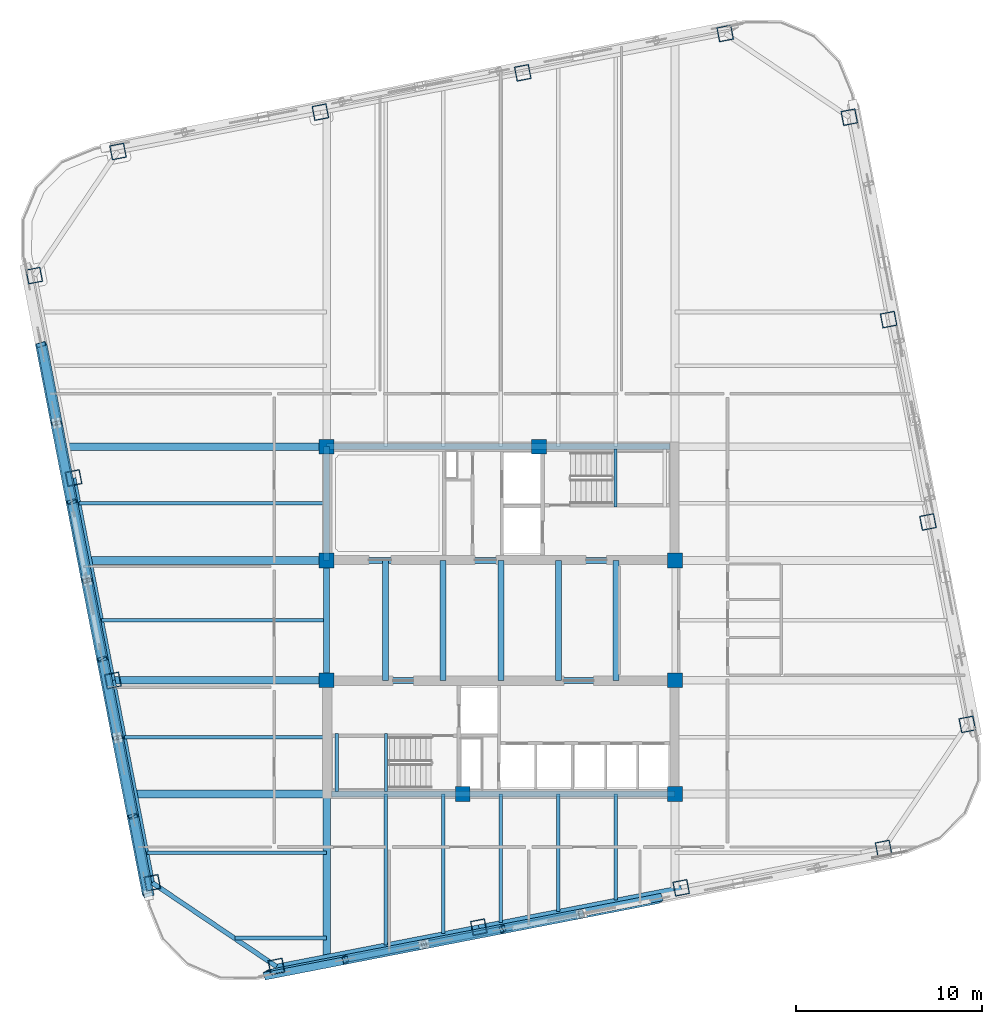
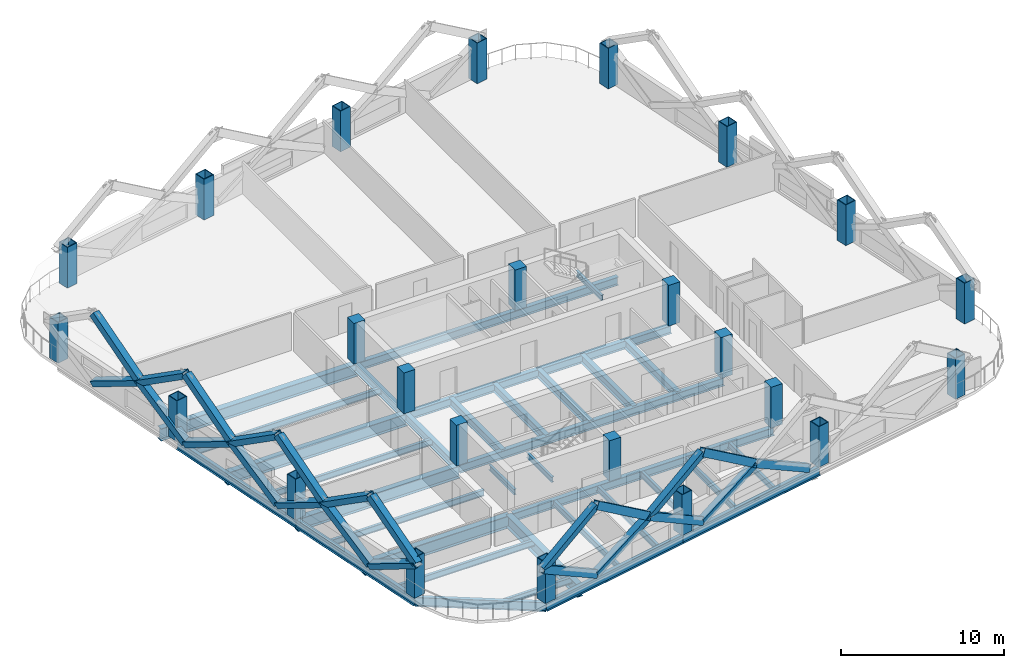
# One storey, part 1 of 10: 34 beams, 24 columns, 23 members.
"""IFC4 building model written with IfcOpenShell, lengths in metres."""

from ifc_helpers import new_model, si_unit, direction, frame, origin, origin_2d, place, context, subcontext, project, spatial, rectangle, hollow_rectangle, i_section, extrude, material, material_profile, profile_set, type_object, element, save


model = new_model("IFC4")

# Units and contexts
model_context = context("Model", 3, precision=1e-05, world=origin(), true_north=direction((0.0, 1.0)))
body_context = subcontext(model_context, "Body", "Model", "MODEL_VIEW")
ifc_project = project(units=[si_unit("LENGTHUNIT", "METRE"), si_unit("AREAUNIT", "SQUARE_METRE"), si_unit("VOLUMEUNIT", "CUBIC_METRE"), si_unit("PLANEANGLEUNIT", "RADIAN"), si_unit("MASSUNIT", "GRAM", prefix="KILO")], contexts=[model_context])

# Site, building, storey
site_placement = place(None, origin())
site = spatial("IfcSite", under=ifc_project, at=site_placement, CompositionType="ELEMENT")
building_placement = place(site_placement, origin())
building = spatial("IfcBuilding", under=site, at=building_placement, Name="Qhalaya Broadcast Tower", CompositionType="ELEMENT")
storey_placement = place(building_placement, frame((0.0, 0.0, 131.10009765625)))
storey = spatial("IfcBuildingStorey", under=building, at=storey_placement, Name="L38", CompositionType="ELEMENT", Elevation=131.10009765625)

# Columns
ifc_material_1 = material(Name="Concrete C50/60", Category="concrete")
ifc_material_profile_1 = material_profile(ifc_material_1, rectangle(XDim=0.800048828125, YDim=0.800048828125, at=origin_2d()), Name="RC-COL 800x800")
ifc_profile_set_1 = profile_set([ifc_material_profile_1], Name="Concrete C50/60")
column_type_1 = type_object("IfcColumnType", Name="RC Upper Column C10", PredefinedType="COLUMN", material=ifc_profile_set_1)
for number, where, z_axis, x_axis, name in (
    (1, (-9.375, 9.949951171875, 0.0), (0.0, 0.0, 1.0), (1.0, 0.0, 0.0), "L38 Column COL-CC1"),
    (2, (2.050048828125, 9.949951171875, 0.0), (0.0, 0.0, 1.0), (1.0, 0.0, 0.0), "L38 Column COL-CC2"),
    (3, (-9.375, 3.824951171875, 0.0), (0.0, 0.0, 1.0), (1.0, 0.0, 0.0), "L38 Column COL-CC3"),
    (4, (9.375, 3.824951171875, 0.0), (0.0, 0.0, 1.0), (1.0, 0.0, 0.0), "L38 Column COL-CC4"),
    (5, (-9.375, -2.625, 0.0), (0.0, 0.0, 1.0), (1.0, 0.0, 0.0), "L38 Column COL-CC5"),
    (6, (9.375, -2.625, 0.0), (0.0, 0.0, 1.0), (1.0, 0.0, 0.0), "L38 Column COL-CC6"),
    (7, (-2.050048828125, -8.75, 0.0), (0.0, 0.0, 1.0), (1.0, 0.0, 0.0), "L38 Column COL-CC7"),
    (8, (9.375, -8.75, 0.0), (0.0, 0.0, 1.0), (1.0, 0.0, 0.0), "L38 Column COL-CC8"),
):
    element("IfcColumn", number, at=place(storey_placement, frame(where, z_axis=z_axis, x_axis=x_axis)), inside=storey, type_object=column_type_1, Name=name, PredefinedType="COLUMN", context=body_context, shape_type="SweptSolid", body=[
        extrude(rectangle(XDim=0.800048828125, YDim=0.800048828125, at=origin_2d()), origin(), (0.0, 0.0, 1.0), 3.0498046875),
    ])
ifc_material_2 = material(Name="Structural Steel ASTM A572 Grade 50", Category="steel")
ifc_material_profile_2 = material_profile(ifc_material_2, hollow_rectangle(XDim=0.800048828125, YDim=0.800048828125, WallThickness=0.050048828125, at=origin_2d()), Name="BOX 800x800x50")
ifc_profile_set_2 = profile_set([ifc_material_profile_2], Name="Structural Steel ASTM A572 Grade 50")
column_type_2 = type_object("IfcColumnType", Name="Steel Box Column C03", PredefinedType="COLUMN", material=ifc_profile_set_2)
for number, where, z_axis, x_axis, name in (
    (9, (-12.07958984375, -18.036376953125, 0.0), (0.0, 0.0, 1.0), (0.981627183448, 0.190808995377, 0.0), "L38 Column COL-EX01"),
    (10, (-1.183349609375, -15.91845703125, 0.0), (0.0, 0.0, 1.0), (0.981627183448, 0.190808995377, 0.0), "L38 Column COL-EX02"),
    (11, (9.712646484375, -13.80029296875, 0.0), (0.0, 0.0, 1.0), (0.981627183448, 0.190808995377, 0.0), "L38 Column COL-EX03"),
    (12, (20.608642578125, -11.682373046875, 0.0), (0.0, 0.0, 1.0), (0.981627183448, 0.190808995377, 0.0), "L38 Column COL-EX04"),
    (13, (25.1162109375, -4.99951171875, 0.0), (0.0, 0.0, 1.0), (-0.190808995377, 0.981627183448, 0.0), "L38 Column COL-EX05"),
    (14, (22.998291015625, 5.896484375, 0.0), (0.0, 0.0, 1.0), (-0.190808995377, 0.981627183448, 0.0), "L38 Column COL-EX06"),
    (15, (20.88037109375, 16.79248046875, 0.0), (0.0, 0.0, 1.0), (-0.190808995377, 0.981627183448, 0.0), "L38 Column COL-EX07"),
    (16, (18.762451171875, 27.688720703125, 0.0), (0.0, 0.0, 1.0), (-0.190808995377, 0.981627183448, 0.0), "L38 Column COL-EX08"),
    (17, (12.07958984375, 32.1962890625, 0.0), (0.0, 0.0, 1.0), (0.981627183448, 0.190808995377, 0.0), "L38 Column COL-EX09"),
    (18, (1.183349609375, 30.078369140625, 0.0), (0.0, 0.0, 1.0), (0.981627183448, 0.190808995377, 0.0), "L38 Column COL-EX10"),
    (19, (-9.712646484375, 27.96044921875, 0.0), (0.0, 0.0, 1.0), (0.981627183448, 0.190808995377, 0.0), "L38 Column COL-EX11"),
    (20, (-20.608642578125, 25.84228515625, 0.0), (0.0, 0.0, 1.0), (0.981627183448, 0.190808995377, 0.0), "L38 Column COL-EX12"),
    (21, (-25.1162109375, 19.159423828125, 0.0), (0.0, 0.0, 1.0), (-0.190808995377, 0.981627183448, 0.0), "L38 Column COL-EX13"),
    (22, (-22.998291015625, 8.263427734375, 0.0), (0.0, 0.0, 1.0), (-0.190808995377, 0.981627183448, 0.0), "L38 Column COL-EX14"),
    (23, (-20.88037109375, -2.632568359375, 0.0), (0.0, 0.0, 1.0), (-0.190808995377, 0.981627183448, 0.0), "L38 Column COL-EX15"),
    (24, (-18.762451171875, -13.52880859375, 0.0), (0.0, 0.0, 1.0), (-0.190808995377, 0.981627183448, 0.0), "L38 Column COL-EX16"),
):
    element("IfcColumn", number, at=place(storey_placement, frame(where, z_axis=z_axis, x_axis=x_axis)), inside=storey, type_object=column_type_2, Name=name, PredefinedType="COLUMN", context=body_context, shape_type="SweptSolid", body=[
        extrude(hollow_rectangle(XDim=0.800048828125, YDim=0.800048828125, WallThickness=0.050048828125, at=origin_2d()), origin(), (0.0, 0.0, 1.0), 3.0498046875),
    ])

# Beams
ifc_material_3 = material(Name="Structural Steel ASTM A992 Grade 50", Category="steel")
ifc_material_profile_3 = material_profile(ifc_material_3, i_section(OverallWidth=0.19189453125, OverallDepth=0.462890625, WebThickness=0.010498046875, FlangeThickness=0.017578125, at=origin_2d()), Name="W18X60")
ifc_profile_set_3 = profile_set([ifc_material_profile_3], Name="Structural Steel ASTM A992 Grade 50")
beam_type_1 = type_object("IfcBeamType", Name="Composite Floor Joist J03", PredefinedType="JOIST", material=ifc_profile_set_3)
beam_1_placement = place(storey_placement, frame((-6.199951171875, -16.873046875, -0.45166015625), z_axis=(0.0, 1.0, 0.0), x_axis=(-1.0, 0.0, 0.0)))
element("IfcBeam", 25, at=beam_1_placement, inside=storey, type_object=beam_type_1, Name="L38 J03 L38-JNS1-1", PredefinedType="JOIST", context=body_context, shape_type="SweptSolid", body=[
    extrude(i_section(OverallWidth=0.19189453125, OverallDepth=0.462890625, WebThickness=0.010498046875, FlangeThickness=0.017578125, at=origin_2d()), origin(), (0.0, 0.0, 1.0), 8.123046875),
])
beam_2_placement = place(storey_placement, frame((-3.10009765625, -16.2705078125, -0.45166015625), z_axis=(0.0, 1.0, 0.0), x_axis=(-1.0, 0.0, 0.0)))
element("IfcBeam", 26, at=beam_2_placement, inside=storey, type_object=beam_type_1, Name="L38 J03 L38-JNS2-1", PredefinedType="JOIST", context=body_context, shape_type="SweptSolid", body=[
    extrude(i_section(OverallWidth=0.19189453125, OverallDepth=0.462890625, WebThickness=0.010498046875, FlangeThickness=0.017578125, at=origin_2d()), origin(), (0.0, 0.0, 1.0), 7.5205078125),
])
beam_3_placement = place(storey_placement, frame((0.0, -15.66796875, -0.45166015625), z_axis=(0.0, 1.0, 0.0), x_axis=(-1.0, 0.0, 0.0)))
element("IfcBeam", 27, at=beam_3_placement, inside=storey, type_object=beam_type_1, Name="L38 J03 L38-JNS3-1", PredefinedType="JOIST", context=body_context, shape_type="SweptSolid", body=[
    extrude(i_section(OverallWidth=0.19189453125, OverallDepth=0.462890625, WebThickness=0.010498046875, FlangeThickness=0.017578125, at=origin_2d()), origin(), (0.0, 0.0, 1.0), 6.91796875),
])
beam_4_placement = place(storey_placement, frame((3.10009765625, -15.0654296875, -0.45166015625), z_axis=(0.0, 1.0, 0.0), x_axis=(-1.0, 0.0, 0.0)))
element("IfcBeam", 28, at=beam_4_placement, inside=storey, type_object=beam_type_1, Name="L38 J03 L38-JNS4-1", PredefinedType="JOIST", context=body_context, shape_type="SweptSolid", body=[
    extrude(i_section(OverallWidth=0.19189453125, OverallDepth=0.462890625, WebThickness=0.010498046875, FlangeThickness=0.017578125, at=origin_2d()), origin(), (0.0, 0.0, 1.0), 6.3154296875),
])
beam_5_placement = place(storey_placement, frame((6.199951171875, -14.462890625, -0.45166015625), z_axis=(0.0, 1.0, 0.0), x_axis=(-1.0, 0.0, 0.0)))
element("IfcBeam", 29, at=beam_5_placement, inside=storey, type_object=beam_type_1, Name="L38 J03 L38-JNS5-1", PredefinedType="JOIST", context=body_context, shape_type="SweptSolid", body=[
    extrude(i_section(OverallWidth=0.19189453125, OverallDepth=0.462890625, WebThickness=0.010498046875, FlangeThickness=0.017578125, at=origin_2d()), origin(), (0.0, 0.0, 1.0), 5.712890625),
])
beam_6_placement = place(storey_placement, frame((-14.3212890625, -16.5, -0.45166015625), z_axis=(1.0, 0.0, 0.0), x_axis=(0.0, 1.0, 0.0)))
element("IfcBeam", 30, at=beam_6_placement, inside=storey, type_object=beam_type_1, Name="L38 J03 L38-JWE1W-1", PredefinedType="JOIST", context=body_context, shape_type="SweptSolid", body=[
    extrude(i_section(OverallWidth=0.19189453125, OverallDepth=0.462890625, WebThickness=0.010498046875, FlangeThickness=0.017578125, at=origin_2d()), origin(), (0.0, 0.0, 1.0), 4.9462890625),
])
beam_7_placement = place(storey_placement, frame((-19.05859375, -11.89990234375, -0.45166015625), z_axis=(1.0, 0.0, 0.0), x_axis=(0.0, 1.0, 0.0)))
element("IfcBeam", 31, at=beam_7_placement, inside=storey, type_object=beam_type_1, Name="L38 J03 L38-JWE2W-1", PredefinedType="JOIST", context=body_context, shape_type="SweptSolid", body=[
    extrude(i_section(OverallWidth=0.19189453125, OverallDepth=0.462890625, WebThickness=0.010498046875, FlangeThickness=0.017578125, at=origin_2d()), origin(), (0.0, 0.0, 1.0), 9.68359375),
])
beam_8_placement = place(storey_placement, frame((-20.263916015625, -5.699951171875, -0.45166015625), z_axis=(1.0, 0.0, 0.0), x_axis=(0.0, 1.0, 0.0)))
element("IfcBeam", 32, at=beam_8_placement, inside=storey, type_object=beam_type_1, Name="L38 J03 L38-JWE3W-1", PredefinedType="JOIST", context=body_context, shape_type="SweptSolid", body=[
    extrude(i_section(OverallWidth=0.19189453125, OverallDepth=0.462890625, WebThickness=0.010498046875, FlangeThickness=0.017578125, at=origin_2d()), origin(), (0.0, 0.0, 1.0), 10.888916015625),
])
beam_9_placement = place(storey_placement, frame((-21.48828125, 0.60009765625, -0.45166015625), z_axis=(1.0, 0.0, 0.0), x_axis=(0.0, 1.0, 0.0)))
element("IfcBeam", 33, at=beam_9_placement, inside=storey, type_object=beam_type_1, Name="L38 J03 L38-JWE4W-1", PredefinedType="JOIST", context=body_context, shape_type="SweptSolid", body=[
    extrude(i_section(OverallWidth=0.19189453125, OverallDepth=0.462890625, WebThickness=0.010498046875, FlangeThickness=0.017578125, at=origin_2d()), origin(), (0.0, 0.0, 1.0), 12.11328125),
])
beam_10_placement = place(storey_placement, frame((-22.712890625, 6.89990234375, -0.45166015625), z_axis=(1.0, 0.0, 0.0), x_axis=(0.0, 1.0, 0.0)))
element("IfcBeam", 34, at=beam_10_placement, inside=storey, type_object=beam_type_1, Name="L38 J03 L38-JWE5W-1", PredefinedType="JOIST", context=body_context, shape_type="SweptSolid", body=[
    extrude(i_section(OverallWidth=0.19189453125, OverallDepth=0.462890625, WebThickness=0.010498046875, FlangeThickness=0.017578125, at=origin_2d()), origin(), (0.0, 0.0, 1.0), 13.337890625),
])
ifc_material_profile_4 = material_profile(ifc_material_3, i_section(OverallWidth=0.323974609375, OverallDepth=0.612060546875, WebThickness=0.0126953125, FlangeThickness=0.01904296875, at=origin_2d()), Name="W24X104")
ifc_profile_set_4 = profile_set([ifc_material_profile_4], Name="Structural Steel ASTM A992 Grade 50")
beam_type_2 = type_object("IfcBeamType", Name="Core Frame Tie Beam B04", PredefinedType="BEAM", material=ifc_profile_set_4)
beam_11_placement = place(storey_placement, frame((-9.375, 3.824951171875, -0.526123046875), z_axis=(1.0, 0.0, 0.0), x_axis=(0.0, 1.0, 0.0)))
element("IfcBeam", 35, at=beam_11_placement, inside=storey, type_object=beam_type_2, Name="L38 B04 L38-CCN1", PredefinedType="BEAM", context=body_context, shape_type="SweptSolid", body=[
    extrude(i_section(OverallWidth=0.323974609375, OverallDepth=0.612060546875, WebThickness=0.0126953125, FlangeThickness=0.01904296875, at=origin_2d()), origin(), (0.0, 0.0, 1.0), 18.75),
])
beam_12_placement = place(storey_placement, frame((-9.375, 3.824951171875, -0.526123046875), z_axis=(0.0, 1.0, 0.0), x_axis=(-1.0, 0.0, 0.0)))
element("IfcBeam", 36, at=beam_12_placement, inside=storey, type_object=beam_type_2, Name="L38 B04 L38-CCN2", PredefinedType="BEAM", context=body_context, shape_type="SweptSolid", body=[
    extrude(i_section(OverallWidth=0.323974609375, OverallDepth=0.612060546875, WebThickness=0.0126953125, FlangeThickness=0.01904296875, at=origin_2d()), origin(), (0.0, 0.0, 1.0), 6.125),
])
beam_13_placement = place(storey_placement, frame((-9.375, 9.949951171875, -0.526123046875), z_axis=(1.0, 0.0, 0.0), x_axis=(0.0, 1.0, 0.0)))
element("IfcBeam", 37, at=beam_13_placement, inside=storey, type_object=beam_type_2, Name="L38 B04 L38-CCN3", PredefinedType="BEAM", context=body_context, shape_type="SweptSolid", body=[
    extrude(i_section(OverallWidth=0.323974609375, OverallDepth=0.612060546875, WebThickness=0.0126953125, FlangeThickness=0.01904296875, at=origin_2d()), origin(), (0.0, 0.0, 1.0), 18.4951171875),
])
beam_14_placement = place(storey_placement, frame((-9.375, -2.625, -0.526123046875), z_axis=(1.0, 0.0, 0.0), x_axis=(0.0, 1.0, 0.0)))
element("IfcBeam", 38, at=beam_14_placement, inside=storey, type_object=beam_type_2, Name="L38 B04 L38-CCS1", PredefinedType="BEAM", context=body_context, shape_type="SweptSolid", body=[
    extrude(i_section(OverallWidth=0.323974609375, OverallDepth=0.612060546875, WebThickness=0.0126953125, FlangeThickness=0.01904296875, at=origin_2d()), origin(), (0.0, 0.0, 1.0), 18.75),
])
beam_15_placement = place(storey_placement, frame((-9.1201171875, -8.75, -0.526123046875), z_axis=(1.0, 0.0, 0.0), x_axis=(0.0, 1.0, 0.0)))
element("IfcBeam", 39, at=beam_15_placement, inside=storey, type_object=beam_type_2, Name="L38 B04 L38-CCS3", PredefinedType="BEAM", context=body_context, shape_type="SweptSolid", body=[
    extrude(i_section(OverallWidth=0.323974609375, OverallDepth=0.612060546875, WebThickness=0.0126953125, FlangeThickness=0.01904296875, at=origin_2d()), origin(), (0.0, 0.0, 1.0), 18.4951171875),
])
for number, where, z_axis, x_axis, name in (
    (40, (-9.375, -2.625, -0.526123046875), (0.0, 1.0, 0.0), (-1.0, 0.0, 0.0), "L38 B04 L38-CCW"),
    (41, (-6.199951171875, -2.625, -0.526123046875), (0.0, 1.0, 0.0), (-1.0, 0.0, 0.0), "L38 B04 L38-JC1-1"),
    (42, (-3.10009765625, -2.625, -0.526123046875), (0.0, 1.0, 0.0), (-1.0, 0.0, 0.0), "L38 B04 L38-JC2-1"),
    (43, (0.0, -2.625, -0.526123046875), (0.0, 1.0, 0.0), (-1.0, 0.0, 0.0), "L38 B04 L38-JC3-1"),
    (44, (3.10009765625, -2.625, -0.526123046875), (0.0, 1.0, 0.0), (-1.0, 0.0, 0.0), "L38 B04 L38-JC4-1"),
    (45, (6.199951171875, -2.625, -0.526123046875), (0.0, 1.0, 0.0), (-1.0, 0.0, 0.0), "L38 B04 L38-JC5-1"),
):
    element("IfcBeam", number, at=place(storey_placement, frame(where, z_axis=z_axis, x_axis=x_axis)), inside=storey, type_object=beam_type_2, Name=name, PredefinedType="BEAM", context=body_context, shape_type="SweptSolid", body=[
        extrude(i_section(OverallWidth=0.323974609375, OverallDepth=0.612060546875, WebThickness=0.0126953125, FlangeThickness=0.01904296875, at=origin_2d()), origin(), (0.0, 0.0, 1.0), 6.449951171875),
    ])

# Members
ifc_material_profile_5 = material_profile(ifc_material_2, hollow_rectangle(XDim=0.419921875, YDim=0.550048828125, WallThickness=0.028076171875, at=origin_2d()), Name="BOX 420x550x28")
ifc_profile_set_5 = profile_set([ifc_material_profile_5], Name="Structural Steel ASTM A572 Grade 50")
member_type = type_object("IfcMemberType", Name="Exoskeleton Diamond Diagonal Mid-Low EX2", PredefinedType="BRACE", material=ifc_profile_set_5)
for number, where, z_axis, x_axis, name in (
    (46, (-8.370361328125, -17.66162109375, 0.35986328125), (-0.863618006517, -0.167902203124, 0.475365952719), (0.276374553568, -0.946274942687, 0.167871495444), "B3 Exoskeleton Diamond Brace S1-D1"),
    (47, (-8.370361328125, -17.66162109375, 0.35986328125), (0.86362522784, 0.167853798825, 0.475369927591), (-0.276322709835, 0.946290155626, 0.167871085642), "B3 Exoskeleton Diamond Brace S1-D2"),
):
    element("IfcMember", number, at=place(storey_placement, frame(where, z_axis=z_axis, x_axis=x_axis)), inside=storey, type_object=member_type, Name=name, PredefinedType="BRACE", context=body_context, shape_type="SweptSolid", body=[
        extrude(hollow_rectangle(XDim=0.419921875, YDim=0.550048828125, WallThickness=0.028076171875, at=origin_2d()), origin(), (0.0, 0.0, 1.0), 4.901611328125),
    ])
for number, where, z_axis, x_axis, name in (
    (48, (-12.603515625, -18.484619140625, 2.68994140625), (0.822423775729, 0.159893335716, 0.545942537553), (-0.289593689204, 0.943704915221, 0.15986409278), "B3 Exoskeleton Diamond Brace S1-D3"),
    (49, (-4.13720703125, -16.8388671875, 2.68994140625), (-0.822430012189, -0.159847115813, 0.545946677449), (0.289542019185, -0.943720856791, 0.159863578043), "B3 Exoskeleton Diamond Brace S1-D4"),
):
    element("IfcMember", number, at=place(storey_placement, frame(where, z_axis=z_axis, x_axis=x_axis)), inside=storey, type_object=member_type, Name=name, PredefinedType="BRACE", context=body_context, shape_type="SweptSolid", body=[
        extrude(hollow_rectangle(XDim=0.419921875, YDim=0.550048828125, WallThickness=0.028076171875, at=origin_2d()), origin(), (0.0, 0.0, 1.0), 5.147216796875),
    ])
for number, where, z_axis, x_axis, name in (
    (50, (0.09619140625, -16.01611328125, 0.35986328125), (-0.863637885863, -0.16784657874, 0.47534947997), (0.276308659238, -0.946293884406, 0.167873193708), "B3 Exoskeleton Diamond Brace S2-D1"),
    (51, (0.09619140625, -16.01611328125, 0.35986328125), (0.863630665056, 0.167894981079, 0.475345505611), (-0.276360500461, 0.946278673042, 0.167873603434), "B3 Exoskeleton Diamond Brace S2-D2"),
):
    element("IfcMember", number, at=place(storey_placement, frame(where, z_axis=z_axis, x_axis=x_axis)), inside=storey, type_object=member_type, Name=name, PredefinedType="BRACE", context=body_context, shape_type="SweptSolid", body=[
        extrude(hollow_rectangle(XDim=0.419921875, YDim=0.550048828125, WallThickness=0.028076171875, at=origin_2d()), origin(), (0.0, 0.0, 1.0), 4.90185546875),
    ])
member_1_placement = place(storey_placement, frame((-4.13720703125, -16.8388671875, 2.68994140625), z_axis=(0.822445360829, 0.159840880392, 0.545925380804), x_axis=(-0.289527837313, 0.943724759255, 0.159866225918)))
element("IfcMember", 52, at=member_1_placement, inside=storey, type_object=member_type, Name="B3 Exoskeleton Diamond Brace S2-D3", PredefinedType="BRACE", context=body_context, shape_type="SweptSolid", body=[
    extrude(hollow_rectangle(XDim=0.419921875, YDim=0.550048828125, WallThickness=0.028076171875, at=origin_2d()), origin(), (0.0, 0.0, 1.0), 5.147216796875),
])
member_2_placement = place(storey_placement, frame((4.32958984375, -15.193115234375, 2.68994140625), z_axis=(-0.822439124739, -0.159887098587, 0.545921241393), x_axis=(0.289579504833, -0.943708819309, 0.159866740566)))
element("IfcMember", 53, at=member_2_placement, inside=storey, type_object=member_type, Name="B3 Exoskeleton Diamond Brace S2-D4", PredefinedType="BRACE", context=body_context, shape_type="SweptSolid", body=[
    extrude(hollow_rectangle(XDim=0.419921875, YDim=0.550048828125, WallThickness=0.028076171875, at=origin_2d()), origin(), (0.0, 0.0, 1.0), 5.1474609375),
])
for number, where, z_axis, x_axis, name in (
    (54, (8.562744140625, -14.370361328125, 0.35986328125), (-0.86362522784, -0.167853798825, 0.475369927591), (0.276322709835, -0.946290155626, 0.167871085642), "B3 Exoskeleton Diamond Brace S3-D1"),
    (55, (-24.74169921875, 15.4501953125, 0.35986328125), (0.167902203124, -0.863618006517, 0.475365952719), (-0.276355899211, 0.421640895738, 0.863623976052), "B3 Exoskeleton Diamond Brace W1-D2"),
):
    element("IfcMember", number, at=place(storey_placement, frame(where, z_axis=z_axis, x_axis=x_axis)), inside=storey, type_object=member_type, Name=name, PredefinedType="BRACE", context=body_context, shape_type="SweptSolid", body=[
        extrude(hollow_rectangle(XDim=0.419921875, YDim=0.550048828125, WallThickness=0.028076171875, at=origin_2d()), origin(), (0.0, 0.0, 1.0), 4.901611328125),
    ])
member_3_placement = place(storey_placement, frame((-23.918701171875, 11.217041015625, 2.68994140625), z_axis=(-0.159893335716, 0.822423775729, 0.545942537553), x_axis=(0.289577544331, -0.489647453062, 0.822429460519)))
element("IfcMember", 56, at=member_3_placement, inside=storey, type_object=member_type, Name="B3 Exoskeleton Diamond Brace W1-D4", PredefinedType="BRACE", context=body_context, shape_type="SweptSolid", body=[
    extrude(hollow_rectangle(XDim=0.419921875, YDim=0.550048828125, WallThickness=0.028076171875, at=origin_2d()), origin(), (0.0, 0.0, 1.0), 5.147216796875),
])
member_4_placement = place(storey_placement, frame((-23.095947265625, 6.98388671875, 0.35986328125), z_axis=(-0.167853798825, 0.86362522784, 0.475369927591), x_axis=(0.276333211151, -0.421660083323, 0.863621867803)))
element("IfcMember", 57, at=member_4_placement, inside=storey, type_object=member_type, Name="B3 Exoskeleton Diamond Brace W2-D1", PredefinedType="BRACE", context=body_context, shape_type="SweptSolid", body=[
    extrude(hollow_rectangle(XDim=0.419921875, YDim=0.550048828125, WallThickness=0.028076171875, at=origin_2d()), origin(), (0.0, 0.0, 1.0), 4.901611328125),
])
member_5_placement = place(storey_placement, frame((-23.095947265625, 6.98388671875, 0.35986328125), z_axis=(0.16784657874, -0.863637885863, 0.47534947997), x_axis=(-0.276324827587, 0.421643364625, 0.863632712863)))
element("IfcMember", 58, at=member_5_placement, inside=storey, type_object=member_type, Name="B3 Exoskeleton Diamond Brace W2-D2", PredefinedType="BRACE", context=body_context, shape_type="SweptSolid", body=[
    extrude(hollow_rectangle(XDim=0.419921875, YDim=0.550048828125, WallThickness=0.028076171875, at=origin_2d()), origin(), (0.0, 0.0, 1.0), 4.90185546875),
])
for number, where, z_axis, x_axis, name in (
    (59, (-23.918701171875, 11.217041015625, 2.68994140625), (0.159847115813, -0.822430012189, 0.545946677449), (-0.289551107794, 0.489667534331, 0.822426812426), "B3 Exoskeleton Diamond Brace W2-D3"),
    (60, (-22.273193359375, 2.75048828125, 2.68994140625), (-0.159840880392, 0.822445360829, 0.545925380804), (0.289541830698, -0.489650140275, 0.822440434563), "B3 Exoskeleton Diamond Brace W2-D4"),
):
    element("IfcMember", number, at=place(storey_placement, frame(where, z_axis=z_axis, x_axis=x_axis)), inside=storey, type_object=member_type, Name=name, PredefinedType="BRACE", context=body_context, shape_type="SweptSolid", body=[
        extrude(hollow_rectangle(XDim=0.419921875, YDim=0.550048828125, WallThickness=0.028076171875, at=origin_2d()), origin(), (0.0, 0.0, 1.0), 5.147216796875),
    ])
member_6_placement = place(storey_placement, frame((-21.4501953125, -1.482666015625, 0.35986328125), z_axis=(-0.167902203124, 0.863618006517, 0.475365952719), x_axis=(0.276355899211, -0.421640895738, 0.863623976052)))
element("IfcMember", 61, at=member_6_placement, inside=storey, type_object=member_type, Name="B3 Exoskeleton Diamond Brace W3-D1", PredefinedType="BRACE", context=body_context, shape_type="SweptSolid", body=[
    extrude(hollow_rectangle(XDim=0.419921875, YDim=0.550048828125, WallThickness=0.028076171875, at=origin_2d()), origin(), (0.0, 0.0, 1.0), 4.901611328125),
])
member_7_placement = place(storey_placement, frame((-21.4501953125, -1.482666015625, 0.35986328125), z_axis=(0.16784657874, -0.863637885863, 0.47534947997), x_axis=(-0.276324827587, 0.421643364625, 0.863632712863)))
element("IfcMember", 62, at=member_7_placement, inside=storey, type_object=member_type, Name="B3 Exoskeleton Diamond Brace W3-D2", PredefinedType="BRACE", context=body_context, shape_type="SweptSolid", body=[
    extrude(hollow_rectangle(XDim=0.419921875, YDim=0.550048828125, WallThickness=0.028076171875, at=origin_2d()), origin(), (0.0, 0.0, 1.0), 4.90185546875),
])
for number, where, z_axis, x_axis, name in (
    (63, (-22.273193359375, 2.75048828125, 2.68994140625), (0.159893335716, -0.822423775729, 0.545942537553), (-0.289577544331, 0.489647453062, 0.822429460519), "B3 Exoskeleton Diamond Brace W3-D3"),
    (64, (-20.62744140625, -5.716064453125, 2.68994140625), (-0.159840880392, 0.822445360829, 0.545925380804), (0.289541830698, -0.489650140275, 0.822440434563), "B3 Exoskeleton Diamond Brace W3-D4"),
):
    element("IfcMember", number, at=place(storey_placement, frame(where, z_axis=z_axis, x_axis=x_axis)), inside=storey, type_object=member_type, Name=name, PredefinedType="BRACE", context=body_context, shape_type="SweptSolid", body=[
        extrude(hollow_rectangle(XDim=0.419921875, YDim=0.550048828125, WallThickness=0.028076171875, at=origin_2d()), origin(), (0.0, 0.0, 1.0), 5.147216796875),
    ])
member_8_placement = place(storey_placement, frame((-19.804443359375, -9.94921875, 0.35986328125), z_axis=(-0.167902203124, 0.863618006517, 0.475365952719), x_axis=(0.276355899211, -0.421640895738, 0.863623976052)))
element("IfcMember", 65, at=member_8_placement, inside=storey, type_object=member_type, Name="B3 Exoskeleton Diamond Brace W4-D1", PredefinedType="BRACE", context=body_context, shape_type="SweptSolid", body=[
    extrude(hollow_rectangle(XDim=0.419921875, YDim=0.550048828125, WallThickness=0.028076171875, at=origin_2d()), origin(), (0.0, 0.0, 1.0), 4.901611328125),
])
member_9_placement = place(storey_placement, frame((-19.804443359375, -9.94921875, 0.35986328125), z_axis=(0.16784657874, -0.863637885863, 0.47534947997), x_axis=(-0.276324827587, 0.421643364625, 0.863632712863)))
element("IfcMember", 66, at=member_9_placement, inside=storey, type_object=member_type, Name="B3 Exoskeleton Diamond Brace W4-D2", PredefinedType="BRACE", context=body_context, shape_type="SweptSolid", body=[
    extrude(hollow_rectangle(XDim=0.419921875, YDim=0.550048828125, WallThickness=0.028076171875, at=origin_2d()), origin(), (0.0, 0.0, 1.0), 4.90185546875),
])
for number, where, z_axis, x_axis, name in (
    (67, (-20.62744140625, -5.716064453125, 2.68994140625), (0.159893335716, -0.822423775729, 0.545942537553), (-0.289577544331, 0.489647453062, 0.822429460519), "B3 Exoskeleton Diamond Brace W4-D3"),
    (68, (-18.981689453125, -14.1826171875, 2.68994140625), (-0.159840880392, 0.822445360829, 0.545925380804), (0.289541830698, -0.489650140275, 0.822440434563), "B3 Exoskeleton Diamond Brace W4-D4"),
):
    element("IfcMember", number, at=place(storey_placement, frame(where, z_axis=z_axis, x_axis=x_axis)), inside=storey, type_object=member_type, Name=name, PredefinedType="BRACE", context=body_context, shape_type="SweptSolid", body=[
        extrude(hollow_rectangle(XDim=0.419921875, YDim=0.550048828125, WallThickness=0.028076171875, at=origin_2d()), origin(), (0.0, 0.0, 1.0), 5.147216796875),
    ])

# Beams
ifc_material_profile_6 = material_profile(ifc_material_3, i_section(OverallWidth=0.4189453125, OverallDepth=0.927001953125, WebThickness=0.019287109375, FlangeThickness=0.031982421875, at=origin_2d()), Name="W36X231")
ifc_profile_set_6 = profile_set([ifc_material_profile_6], Name="Structural Steel ASTM A992 Grade 50")
beam_type_3 = type_object("IfcBeamType", Name="Mid Block Primary Girder PG3", PredefinedType="USERDEFINED", material=ifc_profile_set_6)
beam_16_placement = place(storey_placement, frame((-9.375, -17.490234375, -0.68359375), z_axis=(0.0, 1.0, 0.0), x_axis=(-1.0, 0.0, 0.0)))
element("IfcBeam", 69, at=beam_16_placement, inside=storey, type_object=beam_type_3, Name="L38 PG3 L38-PGXS1-1", ObjectType="GIRDER", PredefinedType="USERDEFINED", context=body_context, shape_type="SweptSolid", body=[
    extrude(i_section(OverallWidth=0.4189453125, OverallDepth=0.927001953125, WebThickness=0.019287109375, FlangeThickness=0.031982421875, at=origin_2d()), origin(), (0.0, 0.0, 1.0), 8.740234375),
])
beam_17_placement = place(storey_placement, frame((-19.6708984375, -8.75, -0.68359375), z_axis=(1.0, 0.0, 0.0), x_axis=(0.0, 1.0, 0.0)))
element("IfcBeam", 70, at=beam_17_placement, inside=storey, type_object=beam_type_3, Name="L38 PG3 L38-PGYW1-1", ObjectType="GIRDER", PredefinedType="USERDEFINED", context=body_context, shape_type="SweptSolid", body=[
    extrude(i_section(OverallWidth=0.4189453125, OverallDepth=0.927001953125, WebThickness=0.019287109375, FlangeThickness=0.031982421875, at=origin_2d()), origin(), (0.0, 0.0, 1.0), 10.2958984375),
])
beam_18_placement = place(storey_placement, frame((-20.861572265625, -2.625, -0.68359375), z_axis=(1.0, 0.0, 0.0), x_axis=(0.0, 1.0, 0.0)))
element("IfcBeam", 71, at=beam_18_placement, inside=storey, type_object=beam_type_3, Name="L38 PG3 L38-PGYW2-1", ObjectType="GIRDER", PredefinedType="USERDEFINED", context=body_context, shape_type="SweptSolid", body=[
    extrude(i_section(OverallWidth=0.4189453125, OverallDepth=0.927001953125, WebThickness=0.019287109375, FlangeThickness=0.031982421875, at=origin_2d()), origin(), (0.0, 0.0, 1.0), 11.486572265625),
])
beam_19_placement = place(storey_placement, frame((-22.115234375, 3.824951171875, -0.68359375), z_axis=(1.0, 0.0, 0.0), x_axis=(0.0, 1.0, 0.0)))
element("IfcBeam", 72, at=beam_19_placement, inside=storey, type_object=beam_type_3, Name="L38 PG3 L38-PGYW3-1", ObjectType="GIRDER", PredefinedType="USERDEFINED", context=body_context, shape_type="SweptSolid", body=[
    extrude(i_section(OverallWidth=0.4189453125, OverallDepth=0.927001953125, WebThickness=0.019287109375, FlangeThickness=0.031982421875, at=origin_2d()), origin(), (0.0, 0.0, 1.0), 12.740234375),
])
beam_20_placement = place(storey_placement, frame((-23.305908203125, 9.949951171875, -0.68359375), z_axis=(1.0, 0.0, 0.0), x_axis=(0.0, 1.0, 0.0)))
element("IfcBeam", 73, at=beam_20_placement, inside=storey, type_object=beam_type_3, Name="L38 PG3 L38-PGYW4-1", ObjectType="GIRDER", PredefinedType="USERDEFINED", context=body_context, shape_type="SweptSolid", body=[
    extrude(i_section(OverallWidth=0.4189453125, OverallDepth=0.927001953125, WebThickness=0.019287109375, FlangeThickness=0.031982421875, at=origin_2d()), origin(), (0.0, 0.0, 1.0), 13.930908203125),
])
ifc_material_profile_7 = material_profile(ifc_material_3, i_section(OverallWidth=0.25390625, OverallDepth=0.68310546875, WebThickness=0.012451171875, FlangeThickness=0.01904296875, at=origin_2d()), Name="W27X94")
ifc_profile_set_7 = profile_set([ifc_material_profile_7], Name="Structural Steel ASTM A992 Grade 50")
beam_type_4 = type_object("IfcBeamType", Name="Perimeter Ring Spandrel Beam SP1", PredefinedType="SPANDREL", material=ifc_profile_set_7)
beam_21_placement = place(storey_placement, frame((-12.07958984375, -18.036376953125, -0.5615234375), z_axis=(0.98162878008, 0.190800781233, 0.0), x_axis=(-0.190800781233, 0.98162878008, 0.0)))
element("IfcBeam", 74, at=beam_21_placement, inside=storey, type_object=beam_type_4, Name="L38 SP1 L38-SPR-01", PredefinedType="SPANDREL", context=body_context, shape_type="SweptSolid", body=[
    extrude(i_section(OverallWidth=0.25390625, OverallDepth=0.68310546875, WebThickness=0.012451171875, FlangeThickness=0.01904296875, at=origin_2d()), origin(), (0.0, 0.0, 1.0), 11.10009765625),
])
for number, where, z_axis, x_axis, name in (
    (75, (-1.183349609375, -15.91845703125, -0.5615234375), (0.981623859527, 0.190826094673, 0.0), (-0.190826094673, 0.981623859527, 0.0), "L38 SP1 L38-SPR-02"),
    (76, (-22.998291015625, 8.263427734375, -0.5615234375), (0.190804900759, -0.981627979352, 0.0), (0.981627979352, 0.190804900759, 0.0), "L38 SP1 L38-SPR-14"),
):
    element("IfcBeam", number, at=place(storey_placement, frame(where, z_axis=z_axis, x_axis=x_axis)), inside=storey, type_object=beam_type_4, Name=name, PredefinedType="SPANDREL", context=body_context, shape_type="SweptSolid", body=[
        extrude(i_section(OverallWidth=0.25390625, OverallDepth=0.68310546875, WebThickness=0.012451171875, FlangeThickness=0.01904296875, at=origin_2d()), origin(), (0.0, 0.0, 1.0), 11.099853515625),
    ])
beam_22_placement = place(storey_placement, frame((-20.88037109375, -2.632568359375, -0.5615234375), z_axis=(0.190800781233, -0.98162878008, 0.0), x_axis=(0.98162878008, 0.190800781233, 0.0)))
element("IfcBeam", 77, at=beam_22_placement, inside=storey, type_object=beam_type_4, Name="L38 SP1 L38-SPR-15", PredefinedType="SPANDREL", context=body_context, shape_type="SweptSolid", body=[
    extrude(i_section(OverallWidth=0.25390625, OverallDepth=0.68310546875, WebThickness=0.012451171875, FlangeThickness=0.01904296875, at=origin_2d()), origin(), (0.0, 0.0, 1.0), 11.10009765625),
])
beam_23_placement = place(storey_placement, frame((-18.762451171875, -13.52880859375, -0.5615234375), z_axis=(0.829042088473, -0.559186208288, 0.0), x_axis=(0.559186208288, 0.829042088473, 0.0)))
element("IfcBeam", 78, at=beam_23_placement, inside=storey, type_object=beam_type_4, Name="L38 SP1 L38-SPR-16", PredefinedType="SPANDREL", context=body_context, shape_type="SweptSolid", body=[
    extrude(i_section(OverallWidth=0.25390625, OverallDepth=0.68310546875, WebThickness=0.012451171875, FlangeThickness=0.01904296875, at=origin_2d()), origin(), (0.0, 0.0, 1.0), 8.06103515625),
])
ifc_material_profile_8 = material_profile(ifc_material_3, i_section(OverallWidth=0.177978515625, OverallDepth=0.406005859375, WebThickness=0.0078125, FlangeThickness=0.0126953125, at=origin_2d()), Name="W16X40")
ifc_profile_set_8 = profile_set([ifc_material_profile_8], Name="Structural Steel ASTM A992 Grade 50")
beam_type_5 = type_object("IfcBeamType", Name="Upper Perimeter Spandrel Beam SP2", PredefinedType="SPANDREL", material=ifc_profile_set_8)
for number, where, z_axis, x_axis, name in (
    (79, (6.175048828125, 6.699951171875, 1.121826171875), (0.0, 1.0, 0.0), (-1.0, 0.0, 0.0), "L38 ST-1 Half-Landing Bearer Beam 1"),
    (80, (-8.830078125, -8.6201171875, 1.121826171875), (0.0, 1.0, 0.0), (-1.0, 0.0, 0.0), "L38 ST-2 Half-Landing Bearer Beam 1"),
    (81, (-6.175048828125, -8.6201171875, 1.121826171875), (0.0, 1.0, 0.0), (-1.0, 0.0, 0.0), "L38 ST-2 Half-Landing Bearer Beam 2"),
):
    element("IfcBeam", number, at=place(storey_placement, frame(where, z_axis=z_axis, x_axis=x_axis)), inside=storey, type_object=beam_type_5, Name=name, PredefinedType="SPANDREL", context=body_context, shape_type="SweptSolid", body=[
        extrude(i_section(OverallWidth=0.177978515625, OverallDepth=0.406005859375, WebThickness=0.0078125, FlangeThickness=0.0126953125, at=origin_2d()), origin(), (0.0, 0.0, 1.0), 3.1201171875),
    ])

save(model, "model.ifc")
